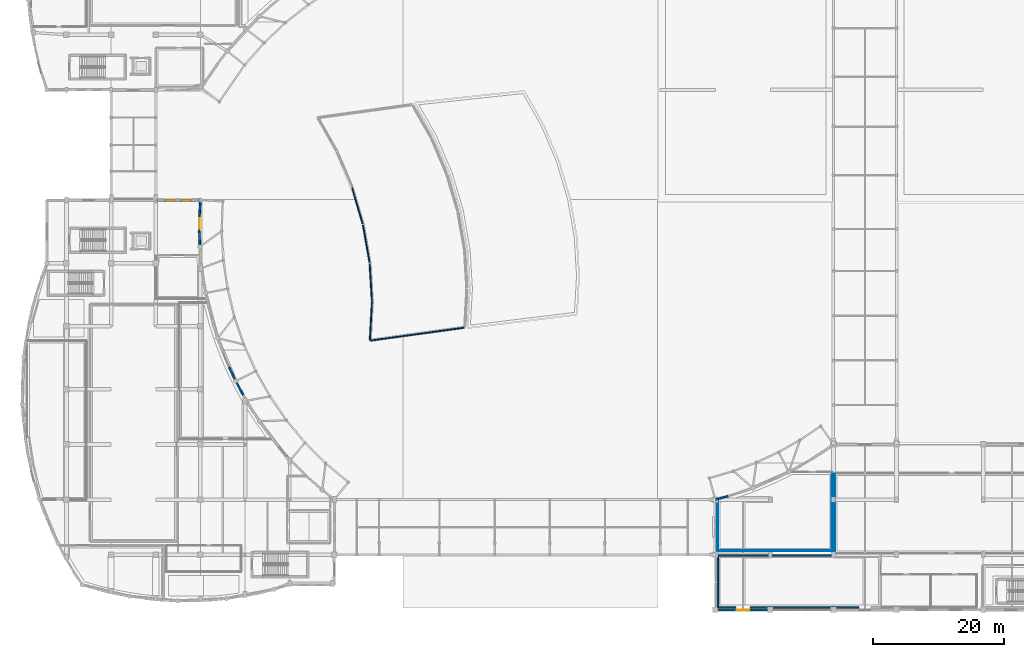
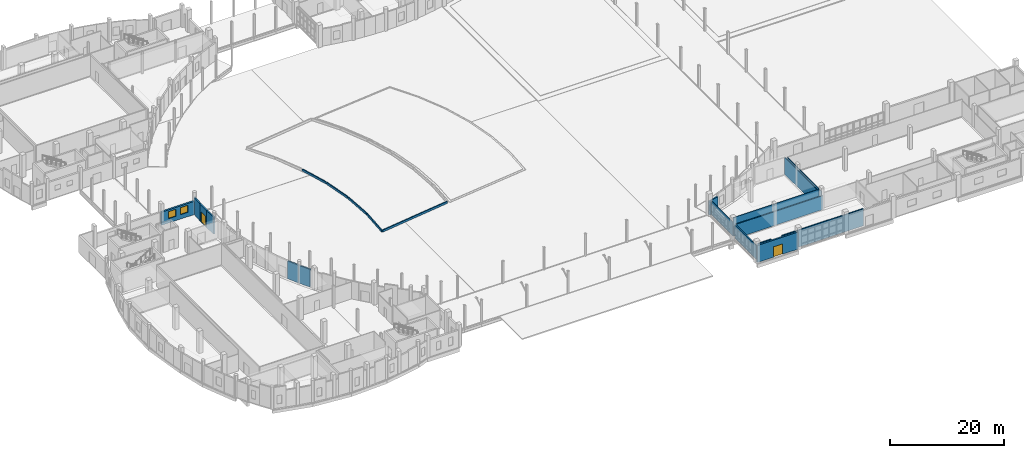
# One storey, part 63 of 97: 21 walls, 2 doors, 2 windows, 4 openings.
"""IFC4 building model written with IfcOpenShell, lengths in metres."""

import ifcopenshell
import ifcopenshell.guid

model = None  # the IFC model being written
_history = None  # IfcOwnerHistory: only IFC2X3 demands one
_inside = {}  # id of a spatial element -> (the spatial element, [elements in it])
_under = {}  # id of a project, library or spatial element -> (it, [spatial elements below it])
_declared = {}  # id of a project -> (the project, [libraries it declares])
_typed = {}  # id of a type object -> (the type object, [elements of that type])
_made_of = {}  # id of a material, layer set ... -> (it, [elements and type objects made of it])


def new_model(schema):
    """Start an empty IFC model of exactly this schema.

    Asked for "IFC4X3", IfcOpenShell would pick the latest addendum, in which some entities
    have other attributes; the version numbers below select the first issue.
    IFC2X3 requires an IfcOwnerHistory on every rooted entity: one is made here for all.
    """
    global model, _history
    if schema == "IFC4X3":
        model = ifcopenshell.file(schema_version=(4, 3, 0, 0))
    else:
        model = ifcopenshell.file(schema=schema)
    _inside.clear()
    _under.clear()
    _declared.clear()
    _typed.clear()
    _made_of.clear()
    _history = None
    if model.schema == "IFC2X3":
        org = make("IfcOrganization", Name="unknown")
        user = make(
            "IfcPersonAndOrganization",
            ThePerson=make("IfcPerson", FamilyName="unknown"),
            TheOrganization=org,
        )
        app = make(
            "IfcApplication",
            ApplicationDeveloper=org,
            Version="unknown",
            ApplicationFullName="unknown",
            ApplicationIdentifier="unknown",
        )
        _history = make(
            "IfcOwnerHistory",
            OwningUser=user,
            OwningApplication=app,
            ChangeAction="ADDED",
            CreationDate=0,
        )
    return model


def make(cls, **values):
    """One entity of the class cls with the attributes given. An attribute that is None is left unset."""
    return model.create_entity(
        cls, **{name: value for name, value in values.items() if value is not None}
    )


def rooted(cls, **values):
    """An entity with a GlobalId (a new one), such as an element, a storey or a relation."""
    return make(cls, GlobalId=ifcopenshell.guid.new(), OwnerHistory=_history, **values)


def si_unit(unit_type, name, prefix=None):
    """IfcSIUnit, for example si_unit("LENGTHUNIT", "METRE", prefix="MILLI")."""
    return make("IfcSIUnit", UnitType=unit_type, Prefix=prefix, Name=name)


def assignment(units):
    """IfcUnitAssignment: the units of a project."""
    return None if units is None else make("IfcUnitAssignment", Units=units)


def point(xyz):
    """IfcCartesianPoint."""
    return None if xyz is None else make("IfcCartesianPoint", Coordinates=xyz)


def direction(xyz):
    """IfcDirection."""
    return None if xyz is None else make("IfcDirection", DirectionRatios=xyz)


def frame(location, z_axis=None, x_axis=None):
    """IfcAxis2Placement3D, a coordinate frame: its origin and axes. An axis left out is left unset."""
    return make(
        "IfcAxis2Placement3D",
        Location=point(location),
        Axis=direction(z_axis),
        RefDirection=direction(x_axis),
    )


def frame_2d(location, x_axis=None):
    """IfcAxis2Placement2D, a coordinate frame in the plane: its origin and x axis."""
    return make(
        "IfcAxis2Placement2D", Location=point(location), RefDirection=direction(x_axis)
    )


def origin():
    """The frame at (0, 0, 0) with its axes left unset."""
    return frame((0.0, 0.0, 0.0))


def place(relative_to, where):
    """IfcLocalPlacement: puts the frame where relative to a parent placement (None: the world)."""
    return make(
        "IfcLocalPlacement", PlacementRelTo=relative_to, RelativePlacement=where
    )


def context(
    kind, dimensions, precision=None, world=None, true_north=None, identifier=None
):
    """IfcGeometricRepresentationContext, for example the 3D "Model" context."""
    return make(
        "IfcGeometricRepresentationContext",
        ContextIdentifier=identifier,
        ContextType=kind,
        CoordinateSpaceDimension=dimensions,
        Precision=precision,
        WorldCoordinateSystem=world,
        TrueNorth=true_north,
    )


def subcontext(parent, identifier, kind, view, scale=None):
    """IfcGeometricRepresentationSubContext, for example "Body" below "Model"."""
    return make(
        "IfcGeometricRepresentationSubContext",
        ContextIdentifier=identifier,
        ContextType=kind,
        ParentContext=parent,
        TargetScale=scale,
        TargetView=view,
    )


def project(units=None, contexts=None):
    """IfcProject with its units and contexts."""
    return rooted(
        "IfcProject",
        Name="project",
        RepresentationContexts=contexts,
        UnitsInContext=assignment(units),
    )


def spatial(cls, under=None, at=None, **own):
    """A site, building, storey or space (cls), placed at a placement, below another one or the project."""
    s = rooted(cls, ObjectPlacement=at, **own)
    if under is not None:
        _under.setdefault(under.id(), (under, []))[1].append(s)
    return s


def profile(cls, at=None, kind="AREA", **sizes):
    """A parametric profile (cls). Its sizes go by their IFC names, for example OverallWidth=200.0."""
    return make(cls, ProfileType=kind, Position=at, **sizes)


def rectangle(**sizes):
    """IfcRectangleProfileDef."""
    return profile("IfcRectangleProfileDef", **sizes)


def extrude(swept, where, along, depth):
    """IfcExtrudedAreaSolid: the profile swept, set in the frame where, extruded along a direction by depth."""
    return make(
        "IfcExtrudedAreaSolid",
        SweptArea=swept,
        Position=where,
        ExtrudedDirection=direction(along),
        Depth=depth,
    )


def shape(context_of_items, identifier, shape_type, items):
    """IfcShapeRepresentation: the items that make up one representation, for example the "Body"."""
    return make(
        "IfcShapeRepresentation",
        ContextOfItems=context_of_items,
        RepresentationIdentifier=identifier,
        RepresentationType=shape_type,
        Items=items,
    )


def material(Name=None, Category=None):
    """IfcMaterial."""
    return make("IfcMaterial", Name=Name, Category=Category)


def layer(
    of_material, thickness, ventilated=None, Name=None, Category=None, Priority=None
):
    """IfcMaterialLayer: one layer of a wall or slab, of a material (None: an air gap)."""
    return make(
        "IfcMaterialLayer",
        Material=of_material,
        LayerThickness=thickness,
        IsVentilated=ventilated,
        Name=Name,
        Category=Category,
        Priority=Priority,
    )


def layer_set(layers, Name=None):
    """IfcMaterialLayerSet."""
    return make("IfcMaterialLayerSet", MaterialLayers=layers, LayerSetName=Name)


def made_of(thing, what):
    """Note that an element or type object is made of a material, layer set ...; save() writes the relation."""
    if what is not None:
        _made_of.setdefault(what.id(), (what, []))[1].append(thing)
    return thing


def type_object(cls, material=None, **own):
    """A type object (cls), such as IfcWallType, which elements share."""
    return made_of(rooted(cls, **own), material)


def element(
    cls,
    number,
    at=None,
    inside=None,
    cuts=None,
    type_object=None,
    material=None,
    context=None,
    identifier="Body",
    shape_type=None,
    held_by="IfcProductDefinitionShape",
    body=None,
    shapes=None,
    **own,
):
    """One element of the class cls, such as IfcWall. Its Tag is "e" and its number.

    at: its placement. inside: the storey or other place that contains it. cuts: it is an
    opening in that element (IfcRelVoidsElement). A single representation is given by context,
    identifier, shape_type and body (its items); several are given by shapes. held_by: the class
    of the entity that holds the representations. save() writes the other relations.
    """
    e = rooted(cls, Tag="e%d" % number, ObjectPlacement=at, **own)
    if body is not None:
        shapes = [shape(context, identifier, shape_type, body)]
    if shapes is not None:
        e.Representation = make(held_by, Representations=shapes)
    if inside is not None:
        _inside.setdefault(inside.id(), (inside, []))[1].append(e)
    if cuts is not None:
        rooted(
            "IfcRelVoidsElement", RelatingBuildingElement=cuts, RelatedOpeningElement=e
        )
    if type_object is not None:
        _typed.setdefault(type_object.id(), (type_object, []))[1].append(e)
    return made_of(e, material)


def fill(opening, filler):
    """IfcRelFillsElement: the door or window that sits in an opening."""
    return rooted(
        "IfcRelFillsElement",
        RelatingOpeningElement=opening,
        RelatedBuildingElement=filler,
    )


def aggregate(whole, parts):
    """IfcRelAggregates: a whole, such as a stair, and the parts it consists of."""
    return rooted("IfcRelAggregates", RelatingObject=whole, RelatedObjects=parts)


def save(model, path):
    """Write the relations noted so far, then the file.

    IfcRelAggregates (storeys below a building ...), IfcRelContainedInSpatialStructure (elements
    in a storey), IfcRelDefinesByType, IfcRelAssociatesMaterial and IfcRelDeclares: one each for
    every whole, place, type object, material and project.
    """
    for whole, parts in _under.values():
        aggregate(whole, parts)
    for where, things in _inside.values():
        rooted(
            "IfcRelContainedInSpatialStructure",
            RelatedElements=things,
            RelatingStructure=where,
        )
    for kind, things in _typed.values():
        rooted("IfcRelDefinesByType", RelatedObjects=things, RelatingType=kind)
    for what, things in _made_of.values():
        rooted("IfcRelAssociatesMaterial", RelatedObjects=things, RelatingMaterial=what)
    for by, libraries in _declared.values():
        rooted("IfcRelDeclares", RelatingContext=by, RelatedDefinitions=libraries)
    model.write(path)


model = new_model("IFC4")

# Units and contexts
model_context = context("Model", 3, precision=1e-05, world=origin(), true_north=direction((0.0, 1.0)))
body_context = subcontext(model_context, "Body", "Model", "MODEL_VIEW")
ifc_project = project(units=[si_unit("LENGTHUNIT", "METRE"), si_unit("AREAUNIT", "SQUARE_METRE"), si_unit("VOLUMEUNIT", "CUBIC_METRE"), si_unit("PLANEANGLEUNIT", "RADIAN"), si_unit("MASSUNIT", "GRAM", prefix="KILO")], contexts=[model_context])

# Site, building, storey
site_placement = place(None, origin())
site = spatial("IfcSite", under=ifc_project, at=site_placement, CompositionType="ELEMENT")
building_placement = place(site_placement, origin())
building = spatial("IfcBuilding", under=site, at=building_placement, Name="Kisaragi Civic Commons", CompositionType="ELEMENT")
storey_placement = place(building_placement, origin())
storey = spatial("IfcBuildingStorey", under=building, at=storey_placement, Name="L00", CompositionType="ELEMENT", Elevation=0.0)

# Wall, opening, door
ifc_material_1 = material(Name="Insulated Tokoname terracotta cavity wall", Category="masonry")
ifc_layer_1 = layer(ifc_material_1, 0.320068359375, Name="Insulated Tokoname terracotta cavity wall", Category="masonry")
ifc_layer_set_1 = layer_set([ifc_layer_1], Name="Insulated Tokoname terracotta cavity wall")
wall_type_1 = type_object("IfcWallType", Name="EW-01", PredefinedType="STANDARD", material=ifc_layer_set_1)
wall_1_placement = place(storey_placement, frame((114.0, 0.0, 0.0), z_axis=(0.0, 0.0, 1.0), x_axis=(-1.0, 0.0, 0.0)))
wall_1 = element("IfcWall", 1, at=wall_1_placement, inside=storey, type_object=wall_type_1, Name="V3 L00 exterior terracotta wall EW-01 258", PredefinedType="STANDARD", context=body_context, shape_type="SweptSolid", body=[
    extrude(rectangle(XDim=8.39990234375, YDim=0.320068359375, at=frame_2d((4.199951171875, 0.0))), origin(), (0.0, 0.0, 1.0), 3.669921875),
])
opening_1_placement = place(wall_1_placement, frame((3.25, 0.0, 0.0)))
opening_1 = element("IfcOpeningElement", 2, at=opening_1_placement, cuts=wall_1, Name="Opening ED-F", PredefinedType="OPENING", context=body_context, shape_type="SweptSolid", body=[
    extrude(rectangle(XDim=1.89990234375, YDim=2.25, at=frame_2d((0.949951171875, 1.125))), frame((0.0, 0.169921875, 0.0), z_axis=(0.0, -1.0, 0.0), x_axis=(1.0, 0.0, 0.0)), (0.0, 0.0, 1.0), 0.340087890625),
])
ifc_material_2 = material(Name="Thermally broken anodized aluminium glazed exit door", Category="aluminium")
door_type_1 = type_object("IfcDoorType", Name="ED-F", OperationType="NOTDEFINED", PredefinedType="DOOR", material=ifc_material_2)
door_1_placement = place(opening_1_placement, origin())
door_1 = element("IfcDoor", 3, at=door_1_placement, inside=storey, type_object=door_type_1, Name="Ground exterior exit and veranda door ED-F 15", OperationType="DOUBLE_DOOR_SINGLE_SWING", OverallHeight=2.25, OverallWidth=1.89990234375, PredefinedType="DOOR", context=body_context, shape_type="SweptSolid", body=[
    extrude(rectangle(XDim=1.89990234375, YDim=2.25, at=frame_2d((0.949951171875, 1.125))), frame((0.0, 0.02490234375, 0.0), z_axis=(0.0, -1.0, 0.0), x_axis=(1.0, 0.0, 0.0)), (0.0, 0.0, 1.0), 0.050048828125),
])
fill(opening_1, door_1)

# Wall, openings, windows
ifc_layer_2 = layer(ifc_material_1, 0.35009765625, Name="Insulated Tokoname terracotta cavity wall", Category="masonry")
ifc_layer_set_2 = layer_set([ifc_layer_2], Name="Insulated Tokoname terracotta cavity wall")
wall_type_2 = type_object("IfcWallType", Name="EW-02", PredefinedType="STANDARD", material=ifc_layer_set_2)
wall_2_placement = place(storey_placement, frame((20.39990234375, 62.39990234375, 0.0), z_axis=(0.0, 0.0, 1.0), x_axis=(1.0, 0.0, 0.0)))
wall_2 = element("IfcWall", 4, at=wall_2_placement, inside=storey, type_object=wall_type_2, Name="V1 L00 exterior terracotta wall EW-02 64", PredefinedType="STANDARD", context=body_context, shape_type="SweptSolid", body=[
    extrude(rectangle(XDim=6.800048828125, YDim=0.35009765625, at=frame_2d((3.39990234375, 0.0))), origin(), (0.0, 0.0, 1.0), 2.85498046875),
])
opening_2_placement = place(wall_2_placement, frame((1.426025390625, 0.0, 0.949951171875)))
opening_2 = element("IfcOpeningElement", 5, at=opening_2_placement, cuts=wall_2, Name="Opening W-03", PredefinedType="OPENING", context=body_context, shape_type="SweptSolid", body=[
    extrude(rectangle(XDim=1.5, YDim=1.5, at=frame_2d((0.75, 0.75))), frame((0.0, 0.18505859375, 0.0), z_axis=(0.0, -1.0, 0.0), x_axis=(1.0, 0.0, 0.0)), (0.0, 0.0, 1.0), 0.3701171875),
])
opening_3_placement = place(wall_2_placement, frame((3.8740234375, 0.0, 0.949951171875)))
opening_3 = element("IfcOpeningElement", 6, at=opening_3_placement, cuts=wall_2, Name="Opening W-03", PredefinedType="OPENING", context=body_context, shape_type="SweptSolid", body=[
    extrude(rectangle(XDim=1.5, YDim=1.5, at=frame_2d((0.75, 0.75))), frame((0.0, 0.18505859375, 0.0), z_axis=(0.0, -1.0, 0.0), x_axis=(1.0, 0.0, 0.0)), (0.0, 0.0, 1.0), 0.3701171875),
])
ifc_material_3 = material(Name="Thermally broken aluminium frame and low-E argon double glazing", Category="aluminium")
window_type = type_object("IfcWindowType", Name="W-03", PartitioningType="SINGLE_PANEL", PredefinedType="WINDOW", material=ifc_material_3)
window_1_placement = place(opening_2_placement, origin())
window_1 = element("IfcWindow", 7, at=window_1_placement, inside=storey, type_object=window_type, Name="V1 L00 window W-03 17", OverallHeight=1.5, OverallWidth=1.5, PartitioningType="SINGLE_PANEL", PredefinedType="WINDOW", context=body_context, shape_type="SweptSolid", body=[
    extrude(rectangle(XDim=1.5, YDim=1.5, at=frame_2d((0.75, 0.75))), frame((0.0, 0.030029296875, 0.0), z_axis=(0.0, -1.0, 0.0), x_axis=(1.0, 0.0, 0.0)), (0.0, 0.0, 1.0), 0.06005859375),
])
fill(opening_2, window_1)
window_2_placement = place(opening_3_placement, origin())
window_2 = element("IfcWindow", 8, at=window_2_placement, inside=storey, type_object=window_type, Name="V1 L00 window W-03 18", OverallHeight=1.5, OverallWidth=1.5, PartitioningType="SINGLE_PANEL", PredefinedType="WINDOW", context=body_context, shape_type="SweptSolid", body=[
    extrude(rectangle(XDim=1.5, YDim=1.5, at=frame_2d((0.75, 0.75))), frame((0.0, 0.030029296875, 0.0), z_axis=(0.0, -1.0, 0.0), x_axis=(1.0, 0.0, 0.0)), (0.0, 0.0, 1.0), 0.06005859375),
])
fill(opening_3, window_2)

# Wall
ifc_layer_3 = layer(ifc_material_1, 0.26806640625, Name="Insulated Tokoname terracotta cavity wall", Category="masonry")
ifc_layer_set_3 = layer_set([ifc_layer_3], Name="Insulated Tokoname terracotta cavity wall")
wall_type_3 = type_object("IfcWallType", Name="EW-04", PredefinedType="STANDARD", material=ifc_layer_set_3)
wall_3_placement = place(storey_placement, frame((27.199951171875, 62.39990234375, 0.0), z_axis=(0.0, 0.0, 1.0), x_axis=(-0.057525400251, -0.998344043066, 0.0)))
element("IfcWall", 9, at=wall_3_placement, inside=storey, type_object=wall_type_3, Name="V1 L00 exterior terracotta wall EW-04 1", PredefinedType="STANDARD", context=body_context, shape_type="SweptSolid", body=[
    extrude(rectangle(XDim=2.3681640625, YDim=0.26806640625, at=frame_2d((1.18408203125, 0.0))), origin(), (0.0, 0.0, 1.0), 3.669921875),
])

# Wall, opening, door
wall_4_placement = place(storey_placement, frame((27.063720703125, 60.03564453125, 0.0), z_axis=(0.0, 0.0, 1.0), x_axis=(-0.012060978336, -0.999927263756, 0.0)))
wall_4 = element("IfcWall", 10, at=wall_4_placement, inside=storey, type_object=wall_type_3, Name="V1 L00 exterior terracotta wall EW-04 2", PredefinedType="STANDARD", context=body_context, shape_type="SweptSolid", body=[
    extrude(rectangle(XDim=2.368408203125, YDim=0.26806640625, at=frame_2d((1.18408203125, 0.0))), origin(), (0.0, 0.0, 1.0), 3.669921875),
])
opening_4_placement = place(wall_4_placement, frame((0.359130859375, 0.0, 0.0)))
opening_4 = element("IfcOpeningElement", 11, at=opening_4_placement, cuts=wall_4, Name="Opening ED-D", PredefinedType="OPENING", context=body_context, shape_type="SweptSolid", body=[
    extrude(rectangle(XDim=1.64990234375, YDim=2.199951171875, at=frame_2d((0.824951171875, 1.10009765625))), frame((0.0, 0.14404296875, 0.0), z_axis=(0.0, -1.0, 0.0), x_axis=(1.0, 0.0, 0.0)), (0.0, 0.0, 1.0), 0.2880859375),
])
door_type_2 = type_object("IfcDoorType", Name="ED-D", OperationType="NOTDEFINED", PredefinedType="DOOR", material=ifc_material_2)
door_2_placement = place(opening_4_placement, origin())
door_2 = element("IfcDoor", 12, at=door_2_placement, inside=storey, type_object=door_type_2, Name="Ground exterior exit and veranda door ED-D 22", OperationType="DOUBLE_DOOR_SINGLE_SWING", OverallHeight=2.199951171875, OverallWidth=1.64990234375, PredefinedType="DOOR", context=body_context, shape_type="SweptSolid", body=[
    extrude(rectangle(XDim=1.64990234375, YDim=2.199951171875, at=frame_2d((0.824951171875, 1.10009765625))), frame((0.0, 0.02490234375, 0.0), z_axis=(0.0, -1.0, 0.0), x_axis=(1.0, 0.0, 0.0)), (0.0, 0.0, 1.0), 0.050048828125),
])
fill(opening_4, door_2)

# Walls
wall_5_placement = place(storey_placement, frame((27.03515625, 57.66748046875, 0.0), z_axis=(0.0, 0.0, 1.0), x_axis=(0.033500163099, -0.999438712014, 0.0)))
element("IfcWall", 13, at=wall_5_placement, inside=storey, type_object=wall_type_3, Name="V1 L00 exterior terracotta wall EW-04 3", PredefinedType="STANDARD", context=body_context, shape_type="SweptSolid", body=[
    extrude(rectangle(XDim=2.368408203125, YDim=0.26806640625, at=frame_2d((1.18408203125, 0.0))), origin(), (0.0, 0.0, 1.0), 3.669921875),
])
wall_6_placement = place(storey_placement, frame((31.565673828125, 36.989990234375, 0.0), z_axis=(0.0, 0.0, 1.0), x_axis=(0.429021069844, -0.903294482231, 0.0)))
element("IfcWall", 14, at=wall_6_placement, inside=storey, type_object=wall_type_3, Name="V1 L00 exterior terracotta wall EW-04 12", PredefinedType="STANDARD", context=body_context, shape_type="SweptSolid", body=[
    extrude(rectangle(XDim=2.368408203125, YDim=0.26806640625, at=frame_2d((1.18408203125, 0.0))), origin(), (0.0, 0.0, 1.0), 3.820068359375),
])
wall_7_placement = place(storey_placement, frame((32.581787109375, 34.8505859375, 0.0), z_axis=(0.0, 0.0, 1.0), x_axis=(0.469667680595, -0.882843287229, 0.0)))
element("IfcWall", 15, at=wall_7_placement, inside=storey, type_object=wall_type_3, Name="V1 L00 exterior terracotta wall EW-04 13", PredefinedType="STANDARD", context=body_context, shape_type="SweptSolid", body=[
    extrude(rectangle(XDim=2.3681640625, YDim=0.26806640625, at=frame_2d((1.18408203125, 0.0))), origin(), (0.0, 0.0, 1.0), 3.820068359375),
])
wall_8_placement = place(storey_placement, frame((105.60009765625, 16.800048828125, 0.0), z_axis=(0.0, 0.0, 1.0), x_axis=(0.965445683697, 0.260604358811, 0.0)))
element("IfcWall", 16, at=wall_8_placement, inside=storey, type_object=wall_type_3, Name="V3 L00 exterior terracotta wall EW-04 239", PredefinedType="STANDARD", context=body_context, shape_type="SweptSolid", body=[
    extrude(rectangle(XDim=1.998291015625, YDim=0.26806640625, at=frame_2d((0.9990234375, 0.0))), origin(), (0.0, 0.0, 1.0), 2.97998046875),
])
ifc_material_4 = material(Name="Fire-rated double gypsum board on steel studs with mineral wool", Category="steel")
ifc_layer_4 = layer(ifc_material_4, 0.218017578125, Name="Fire-rated double gypsum board on steel studs with mineral wool", Category="steel")
ifc_layer_set_4 = layer_set([ifc_layer_4], Name="Fire-rated double gypsum board on steel studs with mineral wool")
wall_type_4 = type_object("IfcWallType", Name="FW-03", PredefinedType="STANDARD", material=ifc_layer_set_4)
wall_9_placement = place(storey_placement, frame((127.429931640625, 0.39990234375, 0.0), z_axis=(0.0, 0.0, 1.0), x_axis=(-1.0, 0.0, 0.0)))
element("IfcWall", 17, at=wall_9_placement, inside=storey, type_object=wall_type_4, Name="L00 D0-04 partition FW-03 119", PredefinedType="STANDARD", context=body_context, shape_type="SweptSolid", body=[
    extrude(rectangle(XDim=16.534912109375, YDim=0.218017578125, at=frame_2d((8.267578125, 0.0))), origin(), (0.0, 0.0, 1.0), 3.669921875),
])
wall_10_placement = place(storey_placement, frame((108.705078125, 0.39990234375, 0.0), z_axis=(0.0, 0.0, 1.0), x_axis=(-1.0, 0.0, 0.0)))
element("IfcWall", 18, at=wall_10_placement, inside=storey, type_object=wall_type_4, Name="L00 D0-04 partition FW-03 120", PredefinedType="STANDARD", context=body_context, shape_type="SweptSolid", body=[
    extrude(rectangle(XDim=2.7001953125, YDim=0.218017578125, at=frame_2d((1.35009765625, 0.0))), origin(), (0.0, 0.0, 1.0), 3.669921875),
])
wall_11_placement = place(storey_placement, frame((106.0, 0.47509765625, 0.0), z_axis=(0.0, 0.0, 1.0), x_axis=(0.0, 1.0, 0.0)))
element("IfcWall", 19, at=wall_11_placement, inside=storey, type_object=wall_type_4, Name="L00 D0-04 partition FW-03 121", PredefinedType="STANDARD", context=body_context, shape_type="SweptSolid", body=[
    extrude(rectangle(XDim=7.75, YDim=0.218017578125, at=frame_2d((3.875, 0.0))), origin(), (0.0, 0.0, 1.0), 2.97998046875),
])
wall_12_placement = place(storey_placement, frame((106.0048828125, 8.300048828125, 0.0), z_axis=(0.0, 0.0, 1.0), x_axis=(1.0, 0.0, 0.0)))
element("IfcWall", 20, at=wall_12_placement, inside=storey, type_object=wall_type_4, Name="L00 D0-04 partition FW-03 122", PredefinedType="STANDARD", context=body_context, shape_type="SweptSolid", body=[
    extrude(rectangle(XDim=17.795166015625, YDim=0.218017578125, at=frame_2d((8.8974609375, 0.0))), origin(), (0.0, 0.0, 1.0), 2.97998046875),
])
ifc_material_5 = material(Name="Acoustic gypsum board on light-gauge steel studs", Category="steel")
ifc_layer_5 = layer(ifc_material_5, 0.137939453125, Name="Acoustic gypsum board on light-gauge steel studs", Category="steel")
ifc_layer_set_5 = layer_set([ifc_layer_5], Name="Acoustic gypsum board on light-gauge steel studs")
wall_type_5 = type_object("IfcWallType", Name="IW-02", PredefinedType="STANDARD", material=ifc_layer_set_5)
wall_13_placement = place(storey_placement, frame((123.800048828125, 8.675048828125, 0.0), z_axis=(0.0, 0.0, 1.0), x_axis=(0.0, 1.0, 0.0)))
element("IfcWall", 21, at=wall_13_placement, inside=storey, type_object=wall_type_5, Name="L00 D0-01 partition IW-02 114", PredefinedType="STANDARD", context=body_context, shape_type="SweptSolid", body=[
    extrude(rectangle(XDim=12.050048828125, YDim=0.137939453125, at=frame_2d((6.02490234375, 0.0))), origin(), (0.0, 0.0, 1.0), 3.6201171875),
])
ifc_layer_6 = layer(ifc_material_5, 0.1279296875, Name="Acoustic gypsum board on light-gauge steel studs", Category="steel")
ifc_layer_set_6 = layer_set([ifc_layer_6], Name="Acoustic gypsum board on light-gauge steel studs")
wall_type_6 = type_object("IfcWallType", Name="IW-09", PredefinedType="STANDARD", material=ifc_layer_set_6)
wall_14_placement = place(storey_placement, frame((106.0, 9.074951171875, 0.0), z_axis=(0.0, 0.0, 1.0), x_axis=(0.0, 1.0, 0.0)))
element("IfcWall", 22, at=wall_14_placement, inside=storey, type_object=wall_type_6, Name="L00 D0-12 partition IW-09 59", PredefinedType="STANDARD", context=body_context, shape_type="SweptSolid", body=[
    extrude(rectangle(XDim=7.509521484375, YDim=0.1279296875, at=frame_2d((3.7548828125, 0.0))), origin(), (0.0, 0.0, 1.0), 2.97998046875),
])
wall_15_placement = place(storey_placement, frame((123.39990234375, 20.925048828125, 0.0), z_axis=(0.0, 0.0, 1.0), x_axis=(0.0, -1.0, 0.0)))
element("IfcWall", 23, at=wall_15_placement, inside=storey, type_object=wall_type_6, Name="L00 D0-12 partition IW-09 61", PredefinedType="STANDARD", context=body_context, shape_type="SweptSolid", body=[
    extrude(rectangle(XDim=11.85009765625, YDim=0.1279296875, at=frame_2d((5.925048828125, 0.0))), origin(), (0.0, 0.0, 1.0), 3.6201171875),
])
wall_16_placement = place(storey_placement, frame((123.39501953125, 9.0, 0.0), z_axis=(0.0, 0.0, 1.0), x_axis=(-1.0, 0.0, 0.0)))
element("IfcWall", 24, at=wall_16_placement, inside=storey, type_object=wall_type_6, Name="L00 D0-12 partition IW-09 62", PredefinedType="STANDARD", context=body_context, shape_type="SweptSolid", body=[
    extrude(rectangle(XDim=17.39013671875, YDim=0.1279296875, at=frame_2d((8.695068359375, 0.0))), origin(), (0.0, 0.0, 1.0), 4.02001953125),
])
ifc_material_6 = material(Name="Extruded Tokoname terracotta stone coping", Category="masonry")
ifc_layer_7 = layer(ifc_material_6, 0.18994140625, Name="Extruded Tokoname terracotta stone coping", Category="masonry")
ifc_layer_set_7 = layer_set([ifc_layer_7], Name="Extruded Tokoname terracotta stone coping")
wall_type_7 = type_object("IfcWallType", Name="PW-02", PredefinedType="PARAPET", material=ifc_layer_set_7)
wall_17_placement = place(storey_placement, frame((67.40087890625, 42.986328125, 0.0), z_axis=(0.0, 0.0, 1.0), x_axis=(-0.990621129243, -0.136637397137, 0.0)))
element("IfcWall", 25, at=wall_17_placement, inside=storey, type_object=wall_type_7, Name="Civic reflecting pool terracotta coping curb 8", PredefinedType="PARAPET", context=body_context, shape_type="SweptSolid", body=[
    extrude(rectangle(XDim=14.437255859375, YDim=0.18994140625, at=frame_2d((7.21875, 0.0))), origin(), (0.0, 0.0, 1.0), 0.449951171875),
])
for number, where, z_axis, x_axis, name in (
    (26, (53.00537109375, 41.099853515625, 0.0), (0.0, 0.0, 1.0), (0.054333269316, 0.998522856947, 0.0), "Civic reflecting pool terracotta coping curb 9"),
    (27, (53.316162109375, 47.024658203125, 0.0), (0.0, 0.0, 1.0), (-0.059782827104, 0.99821140726, 0.0), "Civic reflecting pool terracotta coping curb 10"),
    (28, (52.9501953125, 52.9462890625, 0.0), (0.0, 0.0, 1.0), (-0.173134292661, 0.984898226572, 0.0), "Civic reflecting pool terracotta coping curb 11"),
    (29, (51.91162109375, 58.78759765625, 0.0), (0.0, 0.0, 1.0), (-0.284178213365, 0.958771475926, 0.0), "Civic reflecting pool terracotta coping curb 12"),
):
    element("IfcWall", number, at=place(storey_placement, frame(where, z_axis=z_axis, x_axis=x_axis)), inside=storey, type_object=wall_type_7, Name=name, PredefinedType="PARAPET", context=body_context, shape_type="SweptSolid", body=[
        extrude(rectangle(XDim=5.733642578125, YDim=0.18994140625, at=frame_2d((2.86669921875, 0.0))), origin(), (0.0, 0.0, 1.0), 0.449951171875),
    ])

save(model, "model.ifc")
